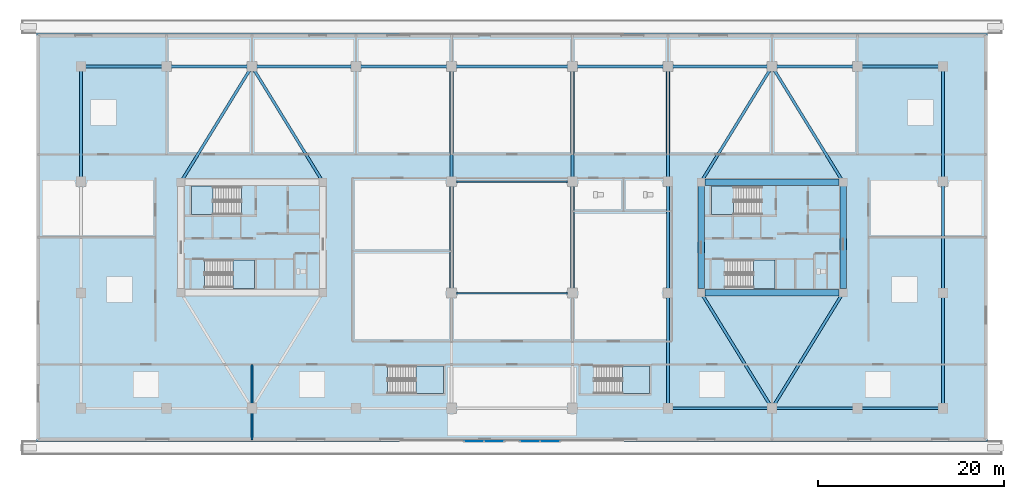
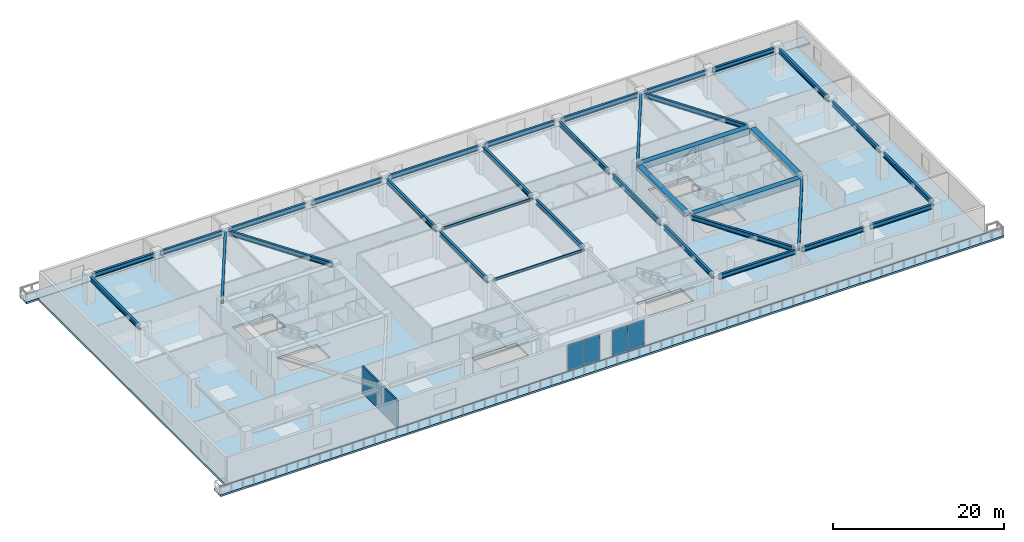
# One storey, part 3 of 23: 35 beams, 9 slabs, 4 plates, 1 wall, 8 elements without a shape of their own.
"""IFC4 building model written with IfcOpenShell, lengths in metres."""

from ifc_helpers import new_model, si_unit, direction, frame, frame_2d, origin, origin_2d, place, context, subcontext, project, spatial, polyline, rectangle, i_section, outline, extrude, source, transform, mapped, material, layer, layer_set, material_profile, profile_set, type_object, type_shapes, element, aggregate, save


model = new_model("IFC4")

# Units and contexts
model_context = context("Model", 3, precision=1e-05, world=origin(), true_north=direction((0.0, 1.0)))
body_context = subcontext(model_context, "Body", "Model", "MODEL_VIEW")
ifc_project = project(units=[si_unit("LENGTHUNIT", "METRE"), si_unit("AREAUNIT", "SQUARE_METRE"), si_unit("VOLUMEUNIT", "CUBIC_METRE"), si_unit("PLANEANGLEUNIT", "RADIAN"), si_unit("MASSUNIT", "GRAM", prefix="KILO")], contexts=[model_context])

# Site, building, storey
site_placement = place(None, origin())
site = spatial("IfcSite", under=ifc_project, at=site_placement, CompositionType="ELEMENT")
building_placement = place(site_placement, origin())
building = spatial("IfcBuilding", under=site, at=building_placement, Name="Norrkilde Senior Care Towers", CompositionType="ELEMENT")
storey_placement = place(building_placement, frame((0.0, 0.0, 8.39990234375)))
storey = spatial("IfcBuildingStorey", under=building, at=storey_placement, Name="L02", CompositionType="ELEMENT", Elevation=8.39990234375)

# Beams
ifc_material_1 = material(Name="Concrete C60/75", Category="concrete")
ifc_material_profile_1 = material_profile(ifc_material_1, rectangle(XDim=0.699951171875, YDim=0.89990234375, at=origin_2d()), Name="RC BM 700x900")
ifc_profile_set_1 = profile_set([ifc_material_profile_1], Name="Concrete C60/75")
beam_type_1 = type_object("IfcBeamType", Name="Core Coupling Girder 700x900", PredefinedType="USERDEFINED", material=ifc_profile_set_1)
shared_shape_1 = source(origin(), body_context, "Body", "SweptSolid", [
    extrude(rectangle(XDim=0.699951171875, YDim=0.89990234375, at=origin_2d()), origin(), (0.0, 0.0, 1.0), 14.43994140625),
])
type_shapes(beam_type_1, [shared_shape_1])
for number, where, z_axis, x_axis, name in (
    (1, (20.780029296875, 5.949951171875, 3.43017578125), (1.0, 0.0, 0.0), (0.0, 1.0, 0.0), "L02 Core E N Coupling Girder"),
    (2, (20.780029296875, -5.949951171875, 3.43017578125), (1.0, 0.0, 0.0), (0.0, 1.0, 0.0), "L02 Core E S Coupling Girder"),
):
    element("IfcBeam", number, at=place(storey_placement, frame(where, z_axis=z_axis, x_axis=x_axis)), inside=storey, type_object=beam_type_1, Name=name, ObjectType="GIRDER", PredefinedType="USERDEFINED", context=body_context, shape_type="MappedRepresentation", body=[
        mapped(shared_shape_1, transform((0.0, 0.0, 0.0), x_axis=(1.0, 0.0, 0.0), y_axis=(0.0, 1.0, 0.0), z_axis=(0.0, 0.0, 1.0), scale=1.0)),
    ])
ifc_material_profile_2 = material_profile(ifc_material_1, rectangle(XDim=0.699951171875, YDim=0.550048828125, at=origin_2d()), Name="RC BM 700x550")
ifc_profile_set_2 = profile_set([ifc_material_profile_2], Name="Concrete C60/75")
beam_type_2 = type_object("IfcBeamType", Name="Core Portal Coupling Beam 700x550", PredefinedType="USERDEFINED", material=ifc_profile_set_2)
shared_shape_2 = source(origin(), body_context, "Body", "SweptSolid", [
    extrude(rectangle(XDim=0.699951171875, YDim=0.550048828125, at=origin_2d()), origin(), (0.0, 0.0, 1.0), 11.0400390625),
])
type_shapes(beam_type_2, [shared_shape_2])
for number, where, z_axis, x_axis, name in (
    (3, (20.35009765625, -5.52001953125, 3.60498046875), (0.0, 1.0, 0.0), (-1.0, 0.0, 0.0), "L02 Core E W Coupling Girder"),
    (4, (35.64990234375, -5.52001953125, 3.60498046875), (0.0, 1.0, 0.0), (-1.0, 0.0, 0.0), "L02 Core E E Coupling Girder"),
):
    element("IfcBeam", number, at=place(storey_placement, frame(where, z_axis=z_axis, x_axis=x_axis)), inside=storey, type_object=beam_type_2, Name=name, ObjectType="GIRDER", PredefinedType="USERDEFINED", context=body_context, shape_type="MappedRepresentation", body=[
        mapped(shared_shape_2, transform((0.0, 0.0, 0.0), x_axis=(1.0, 0.0, 0.0), y_axis=(0.0, 1.0, 0.0), z_axis=(0.0, 0.0, 1.0), scale=1.0)),
    ])
ifc_material_2 = material(Name="Steel S355", Category="steel")
ifc_material_profile_3 = material_profile(ifc_material_2, i_section(OverallWidth=0.159912109375, OverallDepth=0.330078125, WebThickness=0.007568359375, FlangeThickness=0.011474609375, FilletRadius=0.01806640625, at=origin_2d()), Name="IPE 330")
ifc_profile_set_3 = profile_set([ifc_material_profile_3], Name="Steel S355")
beam_type_3 = type_object("IfcBeamType", Name="Podium Deck Joist IPE330", PredefinedType="JOIST", material=ifc_profile_set_3)
shared_shape_3 = source(origin(), body_context, "Body", "SweptSolid", [
    extrude(i_section(OverallWidth=0.159912109375, OverallDepth=0.330078125, WebThickness=0.007568359375, FlangeThickness=0.011474609375, FilletRadius=0.01806640625, at=origin_2d()), origin(), (0.0, 0.0, 1.0), 12.0),
])
type_shapes(beam_type_3, [shared_shape_3])
for number, where, z_axis, x_axis, name in (
    (5, (-6.0, -6.0, 3.715087890625), (1.0, 0.0, 0.0), (0.0, 1.0, 0.0), "L02 Podium Central Span Beam 1"),
    (6, (-6.0, 6.0, 3.715087890625), (1.0, 0.0, 0.0), (0.0, 1.0, 0.0), "L02 Podium Central Span Beam 2"),
):
    element("IfcBeam", number, at=place(storey_placement, frame(where, z_axis=z_axis, x_axis=x_axis)), inside=storey, type_object=beam_type_3, Name=name, PredefinedType="JOIST", context=body_context, shape_type="MappedRepresentation", body=[
        mapped(shared_shape_3, transform((0.0, 0.0, 0.0), x_axis=(1.0, 0.0, 0.0), y_axis=(0.0, 1.0, 0.0), z_axis=(0.0, 0.0, 1.0), scale=1.0)),
    ])
ifc_material_profile_4 = material_profile(ifc_material_2, i_section(OverallWidth=0.300048828125, OverallDepth=0.64990234375, WebThickness=0.01611328125, FlangeThickness=0.031005859375, FilletRadius=0.027099609375, at=origin_2d()), Name="HEB 650")
ifc_profile_set_4 = profile_set([ifc_material_profile_4], Name="Steel S355")
beam_type_4 = type_object("IfcBeamType", Name="Podium Primary Beam HEB650", PredefinedType="BEAM", material=ifc_profile_set_4)
shared_shape_4 = source(origin(), body_context, "Body", "SweptSolid", [
    extrude(i_section(OverallWidth=0.300048828125, OverallDepth=0.64990234375, WebThickness=0.01611328125, FlangeThickness=0.031005859375, FilletRadius=0.027099609375, at=origin_2d()), origin(), (0.0, 0.0, 1.0), 8.300048828125),
])
for number, where, z_axis, x_axis, name in (
    (7, (28.449951171875, -18.39990234375, 3.55517578125), (1.0, 0.0, 0.0), (0.0, 1.0, 0.0), "L02 Podium E-W Frame Beam 1.8"),
    (8, (37.64990234375, -18.39990234375, 3.55517578125), (1.0, 0.0, 0.0), (0.0, 1.0, 0.0), "L02 Podium E-W Frame Beam 1.9"),
    (9, (-45.949951171875, 18.39990234375, 3.55517578125), (1.0, 0.0, 0.0), (0.0, 1.0, 0.0), "L02 Podium E-W Frame Beam 2.1"),
    (10, (-36.75, 18.39990234375, 3.55517578125), (1.0, 0.0, 0.0), (0.0, 1.0, 0.0), "L02 Podium E-W Frame Beam 2.2"),
    (11, (28.449951171875, 18.39990234375, 3.55517578125), (1.0, 0.0, 0.0), (0.0, 1.0, 0.0), "L02 Podium E-W Frame Beam 2.8"),
    (12, (37.64990234375, 18.39990234375, 3.55517578125), (1.0, 0.0, 0.0), (0.0, 1.0, 0.0), "L02 Podium E-W Frame Beam 2.9"),
):
    element("IfcBeam", number, at=place(storey_placement, frame(where, z_axis=z_axis, x_axis=x_axis)), inside=storey, type_object=beam_type_4, Name=name, PredefinedType="BEAM", context=body_context, shape_type="MappedRepresentation", body=[
        mapped(shared_shape_4, transform((0.0, 0.0, 0.0), x_axis=(1.0, 0.0, 0.0), y_axis=(0.0, 1.0, 0.0), z_axis=(0.0, 0.0, 1.0), scale=1.0)),
    ])
shared_shape_5 = source(origin(), body_context, "Body", "SweptSolid", [
    extrude(i_section(OverallWidth=0.300048828125, OverallDepth=0.64990234375, WebThickness=0.01611328125, FlangeThickness=0.031005859375, FilletRadius=0.027099609375, at=origin_2d()), origin(), (0.0, 0.0, 1.0), 10.300048828125),
])
for number, where, z_axis, x_axis, name in (
    (13, (17.25, -18.39990234375, 3.55517578125), (1.0, 0.0, 0.0), (0.0, 1.0, 0.0), "L02 Podium E-W Frame Beam 1.7"),
    (14, (-27.550048828125, 18.39990234375, 3.55517578125), (1.0, 0.0, 0.0), (0.0, 1.0, 0.0), "L02 Podium E-W Frame Beam 2.3"),
    (15, (17.25, 18.39990234375, 3.55517578125), (1.0, 0.0, 0.0), (0.0, 1.0, 0.0), "L02 Podium E-W Frame Beam 2.7"),
):
    element("IfcBeam", number, at=place(storey_placement, frame(where, z_axis=z_axis, x_axis=x_axis)), inside=storey, type_object=beam_type_4, Name=name, PredefinedType="BEAM", context=body_context, shape_type="MappedRepresentation", body=[
        mapped(shared_shape_5, transform((0.0, 0.0, 0.0), x_axis=(1.0, 0.0, 0.0), y_axis=(0.0, 1.0, 0.0), z_axis=(0.0, 0.0, 1.0), scale=1.0)),
    ])
shared_shape_6 = source(origin(), body_context, "Body", "SweptSolid", [
    extrude(i_section(OverallWidth=0.300048828125, OverallDepth=0.64990234375, WebThickness=0.01611328125, FlangeThickness=0.031005859375, FilletRadius=0.027099609375, at=origin_2d()), origin(), (0.0, 0.0, 1.0), 9.400146484375),
])
for number, where, z_axis, x_axis, name in (
    (16, (-16.35009765625, 18.39990234375, 3.55517578125), (1.0, 0.0, 0.0), (0.0, 1.0, 0.0), "L02 Podium E-W Frame Beam 2.4"),
    (17, (6.949951171875, 18.39990234375, 3.55517578125), (1.0, 0.0, 0.0), (0.0, 1.0, 0.0), "L02 Podium E-W Frame Beam 2.6"),
):
    element("IfcBeam", number, at=place(storey_placement, frame(where, z_axis=z_axis, x_axis=x_axis)), inside=storey, type_object=beam_type_4, Name=name, PredefinedType="BEAM", context=body_context, shape_type="MappedRepresentation", body=[
        mapped(shared_shape_6, transform((0.0, 0.0, 0.0), x_axis=(1.0, 0.0, 0.0), y_axis=(0.0, 1.0, 0.0), z_axis=(0.0, 0.0, 1.0), scale=1.0)),
    ])
shared_shape_7 = source(origin(), body_context, "Body", "SweptSolid", [
    extrude(i_section(OverallWidth=0.300048828125, OverallDepth=0.64990234375, WebThickness=0.01611328125, FlangeThickness=0.031005859375, FilletRadius=0.027099609375, at=origin_2d()), origin(), (0.0, 0.0, 1.0), 12.10009765625),
])
beam_placement = place(storey_placement, frame((-6.050048828125, 18.39990234375, 3.55517578125), z_axis=(1.0, 0.0, 0.0), x_axis=(0.0, 1.0, 0.0)))
element("IfcBeam", 18, at=beam_placement, inside=storey, type_object=beam_type_4, Name="L02 Podium E-W Frame Beam 2.5", PredefinedType="BEAM", context=body_context, shape_type="MappedRepresentation", body=[
    mapped(shared_shape_7, transform((0.0, 0.0, 0.0), x_axis=(1.0, 0.0, 0.0), y_axis=(0.0, 1.0, 0.0), z_axis=(0.0, 0.0, 1.0), scale=1.0)),
])
shared_shape_8 = source(origin(), body_context, "Body", "SweptSolid", [
    extrude(i_section(OverallWidth=0.300048828125, OverallDepth=0.64990234375, WebThickness=0.01611328125, FlangeThickness=0.031005859375, FilletRadius=0.027099609375, at=origin_2d()), origin(), (0.0, 0.0, 1.0), 11.5),
])
for number, where, z_axis, x_axis, name in (
    (19, (-46.39990234375, 6.449951171875, 3.55517578125), (0.0, 1.0, 0.0), (-1.0, 0.0, 0.0), "L02 Podium N-S Frame Beam 1.3"),
    (20, (-6.5, 6.449951171875, 3.55517578125), (0.0, 1.0, 0.0), (-1.0, 0.0, 0.0), "L02 Podium N-S Frame Beam 2.3"),
    (21, (6.5, 6.449951171875, 3.55517578125), (0.0, 1.0, 0.0), (-1.0, 0.0, 0.0), "L02 Podium N-S Frame Beam 3.3"),
    (22, (16.800048828125, -17.949951171875, 3.55517578125), (0.0, 1.0, 0.0), (-1.0, 0.0, 0.0), "L02 Podium N-S Frame Beam 4.1"),
    (23, (16.800048828125, 6.449951171875, 3.55517578125), (0.0, 1.0, 0.0), (-1.0, 0.0, 0.0), "L02 Podium N-S Frame Beam 4.3"),
    (24, (46.39990234375, -17.949951171875, 3.55517578125), (0.0, 1.0, 0.0), (-1.0, 0.0, 0.0), "L02 Podium N-S Frame Beam 5.1"),
    (25, (46.39990234375, 6.449951171875, 3.55517578125), (0.0, 1.0, 0.0), (-1.0, 0.0, 0.0), "L02 Podium N-S Frame Beam 5.3"),
):
    element("IfcBeam", number, at=place(storey_placement, frame(where, z_axis=z_axis, x_axis=x_axis)), inside=storey, type_object=beam_type_4, Name=name, PredefinedType="BEAM", context=body_context, shape_type="MappedRepresentation", body=[
        mapped(shared_shape_8, transform((0.0, 0.0, 0.0), x_axis=(1.0, 0.0, 0.0), y_axis=(0.0, 1.0, 0.0), z_axis=(0.0, 0.0, 1.0), scale=1.0)),
    ])
shared_shape_9 = source(origin(), body_context, "Body", "SweptSolid", [
    extrude(i_section(OverallWidth=0.300048828125, OverallDepth=0.64990234375, WebThickness=0.01611328125, FlangeThickness=0.031005859375, FilletRadius=0.027099609375, at=origin_2d()), origin(), (0.0, 0.0, 1.0), 11.10009765625),
])
for number, where, z_axis, x_axis, name in (
    (26, (-6.5, -5.550048828125, 3.55517578125), (0.0, 1.0, 0.0), (-1.0, 0.0, 0.0), "L02 Podium N-S Frame Beam 2.2"),
    (27, (6.5, -5.550048828125, 3.55517578125), (0.0, 1.0, 0.0), (-1.0, 0.0, 0.0), "L02 Podium N-S Frame Beam 3.2"),
    (28, (16.800048828125, -5.550048828125, 3.55517578125), (0.0, 1.0, 0.0), (-1.0, 0.0, 0.0), "L02 Podium N-S Frame Beam 4.2"),
    (29, (46.39990234375, -5.550048828125, 3.55517578125), (0.0, 1.0, 0.0), (-1.0, 0.0, 0.0), "L02 Podium N-S Frame Beam 5.2"),
):
    element("IfcBeam", number, at=place(storey_placement, frame(where, z_axis=z_axis, x_axis=x_axis)), inside=storey, type_object=beam_type_4, Name=name, PredefinedType="BEAM", context=body_context, shape_type="MappedRepresentation", body=[
        mapped(shared_shape_9, transform((0.0, 0.0, 0.0), x_axis=(1.0, 0.0, 0.0), y_axis=(0.0, 1.0, 0.0), z_axis=(0.0, 0.0, 1.0), scale=1.0)),
    ])
shared_shape_10 = source(origin(), body_context, "Body", "SweptSolid", [
    extrude(i_section(OverallWidth=0.300048828125, OverallDepth=0.64990234375, WebThickness=0.01611328125, FlangeThickness=0.031005859375, FilletRadius=0.027099609375, at=origin_2d()), origin(), (0.0, 0.0, 1.0), 13.742431640625),
])
type_shapes(beam_type_4, [shared_shape_4, shared_shape_5, shared_shape_6, shared_shape_7, shared_shape_8, shared_shape_9, shared_shape_10])
for number, where, z_axis, x_axis, name in (
    (30, (-28.235595703125, 18.0166015625, 3.55517578125), (-0.523527368138, -0.852008858411, 0.0), (0.852008858411, -0.523527368138, 0.0), "L02 Core W Tie Beam 3"),
    (31, (-27.764404296875, 18.0166015625, 3.55517578125), (0.523527368138, -0.852008858411, 0.0), (0.852008858411, 0.523527368138, 0.0), "L02 Core W Tie Beam 4"),
    (32, (27.764404296875, -18.0166015625, 3.55517578125), (-0.523527368138, 0.852008858411, 0.0), (-0.852008858411, -0.523527368138, 0.0), "L02 Core E Tie Beam 1"),
    (33, (28.235595703125, -18.0166015625, 3.55517578125), (0.523527368138, 0.852008858411, 0.0), (-0.852008858411, 0.523527368138, 0.0), "L02 Core E Tie Beam 2"),
    (34, (27.764404296875, 18.0166015625, 3.55517578125), (-0.523527368138, -0.852008858411, 0.0), (0.852008858411, -0.523527368138, 0.0), "L02 Core E Tie Beam 3"),
    (35, (28.235595703125, 18.0166015625, 3.55517578125), (0.523527368138, -0.852008858411, 0.0), (0.852008858411, 0.523527368138, 0.0), "L02 Core E Tie Beam 4"),
):
    element("IfcBeam", number, at=place(storey_placement, frame(where, z_axis=z_axis, x_axis=x_axis)), inside=storey, type_object=beam_type_4, Name=name, PredefinedType="BEAM", context=body_context, shape_type="MappedRepresentation", body=[
        mapped(shared_shape_10, transform((0.0, 0.0, 0.0), x_axis=(1.0, 0.0, 0.0), y_axis=(0.0, 1.0, 0.0), z_axis=(0.0, 0.0, 1.0), scale=1.0)),
    ])

# Slabs
ifc_material_3 = material(Name="Concrete C45/55", Category="concrete")
ifc_layer_1 = layer(ifc_material_3, 0.22998046875)
ifc_layer_set_1 = layer_set([ifc_layer_1], Name="Concrete C45/55")
slab_type_1 = type_object("IfcSlabType", Name="Cascading Garden Terrace Slab 230", PredefinedType="FLOOR", material=ifc_layer_set_1)
slab_1_placement = place(storey_placement, frame((0.0, 0.0, -0.22998046875)))
element("IfcSlab", 36, at=slab_1_placement, inside=storey, type_object=slab_type_1, Name="L02 S Cascading Rehabilitation Garden Terrace", PredefinedType="FLOOR", context=body_context, shape_type="SweptSolid", body=[
    extrude(outline(polyline([(-52.800048828125, -23.39990234375), (52.800048828125, -23.39990234375), (52.800048828125, -21.905029296875), (-52.800048828125, -21.905029296875), (-52.800048828125, -23.39990234375)])), origin(), (0.0, 0.0, 1.0), 0.22998046875),
])
slab_2_placement = place(storey_placement, frame((0.0, 0.0, -0.22998046875)))
element("IfcSlab", 37, at=slab_2_placement, inside=storey, type_object=slab_type_1, Name="L02 N Cascading Rehabilitation Garden Terrace", PredefinedType="FLOOR", context=body_context, shape_type="SweptSolid", body=[
    extrude(outline(polyline([(-52.800048828125, 21.905029296875), (52.800048828125, 21.905029296875), (52.800048828125, 23.39990234375), (-52.800048828125, 23.39990234375), (-52.800048828125, 21.905029296875)])), origin(), (0.0, 0.0, 1.0), 0.22998046875),
])
ifc_material_4 = material(Name="Concrete C50/60", Category="concrete")
ifc_layer_2 = layer(ifc_material_4, 0.320068359375)
ifc_layer_set_2 = layer_set([ifc_layer_2], Name="Concrete C50/60")
slab_type_2 = type_object("IfcSlabType", Name="Podium Clinic Floor Slab 320", PredefinedType="FLOOR", material=ifc_layer_set_2)
slab_3_placement = place(storey_placement, frame((0.0, 0.0, -0.31982421875)))
element("IfcSlab", 38, at=slab_3_placement, inside=storey, type_object=slab_type_2, Name="L02 Structural Podium Slab", PredefinedType="FLOOR", context=body_context, shape_type="SweptSolid", body=[
    extrude(outline(polyline([(-51.199951171875, 21.89990234375), (51.199951171875, 21.89990234375), (51.199951171875, -21.89990234375), (-51.199951171875, -21.89990234375), (-51.199951171875, 21.89990234375)]), holes=[polyline([(-34.48193359375, 2.468017578125), (-29.117919921875, 2.468017578125), (-29.117919921875, 5.52490234375), (-34.48193359375, 5.52490234375), (-34.48193359375, 2.468017578125)]), polyline([(-27.718017578125, -5.52490234375), (-27.718017578125, -2.468017578125), (-33.08203125, -2.468017578125), (-33.08203125, -5.52490234375), (-27.718017578125, -5.52490234375)]), polyline([(26.882080078125, 5.52490234375), (21.51806640625, 5.52490234375), (21.51806640625, 2.468017578125), (26.882080078125, 2.468017578125), (26.882080078125, 5.52490234375)]), polyline([(22.91796875, -2.468017578125), (22.91796875, -5.52490234375), (28.281982421875, -5.52490234375), (28.281982421875, -2.468017578125), (22.91796875, -2.468017578125)]), polyline([(-7.41796875, -13.867919921875), (-13.382080078125, -13.867919921875), (-13.382080078125, -16.781982421875), (-7.41796875, -16.781982421875), (-7.41796875, -13.867919921875)]), polyline([(14.781982421875, -16.781982421875), (14.781982421875, -13.867919921875), (8.818115234375, -13.867919921875), (8.818115234375, -16.781982421875), (14.781982421875, -16.781982421875)])]), origin(), (0.0, 0.0, 1.0), 0.31982421875),
])

# Stair, slab
stair_type = type_object("IfcStairType", Name="Core Protected Dogleg Stair Podium 4200", PredefinedType="HALF_TURN_STAIR", material=ifc_material_3)
stair_1_placement = place(storey_placement, origin())
stair_1 = element("IfcStair", 39, at=stair_1_placement, inside=storey, type_object=stair_type, Name="L02 Protected Core Stair W1", PredefinedType="HALF_TURN_STAIR")
ifc_layer_3 = layer(ifc_material_3, 0.199951171875)
ifc_layer_set_3 = layer_set([ifc_layer_3], Name="Concrete C45/55")
slab_type_3 = type_object("IfcSlabType", Name="Stair Landing Slab 200", PredefinedType="LANDING", material=ifc_layer_set_3)
slab_4_placement = place(storey_placement, frame((0.0, 0.0, 1.900146484375)))
slab_4 = element("IfcSlab", 40, at=slab_4_placement, type_object=slab_type_3, Name="ST-W1 landing 1", PredefinedType="LANDING", context=body_context, shape_type="SweptSolid", body=[
    extrude(outline(polyline([(-32.179931640625, 5.52490234375), (-34.5, 5.52490234375), (-34.5, 2.449951171875), (-32.179931640625, 2.449951171875), (-32.179931640625, 5.52490234375)])), origin(), (0.0, 0.0, 1.0), 0.199951171875),
])
aggregate(stair_1, [slab_4])

stair_2_placement = place(storey_placement, origin())
stair_2 = element("IfcStair", 41, at=stair_2_placement, inside=storey, type_object=stair_type, Name="L02 Protected Core Stair W2", PredefinedType="HALF_TURN_STAIR")
slab_5_placement = place(storey_placement, frame((0.0, 0.0, 1.900146484375)))
slab_5 = element("IfcSlab", 42, at=slab_5_placement, type_object=slab_type_3, Name="ST-W2 landing 1", PredefinedType="LANDING", context=body_context, shape_type="SweptSolid", body=[
    extrude(outline(polyline([(-30.02001953125, -5.52490234375), (-27.699951171875, -5.52490234375), (-27.699951171875, -2.449951171875), (-30.02001953125, -2.449951171875), (-30.02001953125, -5.52490234375)])), origin(), (0.0, 0.0, 1.0), 0.199951171875),
])
aggregate(stair_2, [slab_5])

stair_3_placement = place(storey_placement, origin())
stair_3 = element("IfcStair", 43, at=stair_3_placement, inside=storey, type_object=stair_type, Name="L02 Protected Core Stair E1", PredefinedType="HALF_TURN_STAIR")
slab_6_placement = place(storey_placement, frame((0.0, 0.0, 1.900146484375)))
slab_6 = element("IfcSlab", 44, at=slab_6_placement, type_object=slab_type_3, Name="ST-E1 landing 1", PredefinedType="LANDING", context=body_context, shape_type="SweptSolid", body=[
    extrude(outline(polyline([(23.820068359375, 5.52490234375), (21.5, 5.52490234375), (21.5, 2.449951171875), (23.820068359375, 2.449951171875), (23.820068359375, 5.52490234375)])), origin(), (0.0, 0.0, 1.0), 0.199951171875),
])
aggregate(stair_3, [slab_6])

stair_4_placement = place(storey_placement, origin())
stair_4 = element("IfcStair", 45, at=stair_4_placement, inside=storey, type_object=stair_type, Name="L02 Protected Core Stair E2", PredefinedType="HALF_TURN_STAIR")
slab_7_placement = place(storey_placement, frame((0.0, 0.0, 1.900146484375)))
slab_7 = element("IfcSlab", 46, at=slab_7_placement, type_object=slab_type_3, Name="ST-E2 landing 1", PredefinedType="LANDING", context=body_context, shape_type="SweptSolid", body=[
    extrude(outline(polyline([(25.97998046875, -5.52490234375), (28.300048828125, -5.52490234375), (28.300048828125, -2.449951171875), (25.97998046875, -2.449951171875), (25.97998046875, -5.52490234375)])), origin(), (0.0, 0.0, 1.0), 0.199951171875),
])
aggregate(stair_4, [slab_7])

stair_5_placement = place(storey_placement, origin())
stair_5 = element("IfcStair", 47, at=stair_5_placement, inside=storey, type_object=stair_type, Name="L02 Podium Clinic Exit Stair P1", PredefinedType="HALF_TURN_STAIR")
slab_8_placement = place(storey_placement, frame((0.0, 0.0, 1.900146484375)))
slab_8 = element("IfcSlab", 48, at=slab_8_placement, type_object=slab_type_3, Name="ST-P1 landing 1", PredefinedType="LANDING", context=body_context, shape_type="SweptSolid", body=[
    extrude(outline(polyline([(-10.320068359375, -16.800048828125), (-7.39990234375, -16.800048828125), (-7.39990234375, -13.85009765625), (-10.320068359375, -13.85009765625), (-10.320068359375, -16.800048828125)])), origin(), (0.0, 0.0, 1.0), 0.199951171875),
])
aggregate(stair_5, [slab_8])

stair_6_placement = place(storey_placement, origin())
stair_6 = element("IfcStair", 49, at=stair_6_placement, inside=storey, type_object=stair_type, Name="L02 Podium Clinic Exit Stair P2", PredefinedType="HALF_TURN_STAIR")
slab_9_placement = place(storey_placement, frame((0.0, 0.0, 1.900146484375)))
slab_9 = element("IfcSlab", 50, at=slab_9_placement, type_object=slab_type_3, Name="ST-P2 landing 1", PredefinedType="LANDING", context=body_context, shape_type="SweptSolid", body=[
    extrude(outline(polyline([(11.8798828125, -16.800048828125), (14.800048828125, -16.800048828125), (14.800048828125, -13.85009765625), (11.8798828125, -13.85009765625), (11.8798828125, -16.800048828125)])), origin(), (0.0, 0.0, 1.0), 0.199951171875),
])
aggregate(stair_6, [slab_9])

# Curtain wall, plates
ifc_material_5 = material(Name="Triple Low-E Insulated Glazing", Category="glass")
ifc_layer_4 = layer(ifc_material_5, 0.219970703125)
ifc_layer_set_4 = layer_set([ifc_layer_4], Name="Triple Low-E Insulated Glazing")
curtain_wall_type = type_object("IfcCurtainWallType", Name="CW1 Podium Clinic Terracotta Curtain Wall", PredefinedType="NOTDEFINED", material=ifc_layer_set_4)
curtain_wall_1_placement = place(storey_placement, origin())
curtain_wall_1 = element("IfcCurtainWall", 51, at=curtain_wall_1_placement, inside=storey, type_object=curtain_wall_type, Name="L02 Podium Portal Feature Curtain Wall 1", PredefinedType="NOTDEFINED")
ifc_layer_5 = layer(ifc_material_5, 0.035888671875)
ifc_layer_set_5 = layer_set([ifc_layer_5], Name="Triple Low-E Insulated Glazing")
plate_type = type_object("IfcPlateType", Name="Triple Low-E Vision Curtain Panel 36", PredefinedType="CURTAIN_PANEL", material=ifc_layer_set_5)
shared_shape_11 = source(origin(), body_context, "Body", "SweptSolid", [
    extrude(rectangle(XDim=2.094970703125, YDim=0.035888671875, at=origin_2d()), origin(), (0.0, 0.0, 1.0), 3.75),
])
type_shapes(plate_type, [shared_shape_11])
plate_1_placement = place(storey_placement, frame((-1.91748046875, -21.9599609375, 0.065185546875), z_axis=(0.0, 0.0, 1.0), x_axis=(-1.0, 0.0, 0.0)))
plate_1 = element("IfcPlate", 52, at=plate_1_placement, type_object=plate_type, Name="CW-1 panel 1.1", PredefinedType="CURTAIN_PANEL", context=body_context, shape_type="MappedRepresentation", body=[
    mapped(shared_shape_11, transform((0.0, 0.0, 0.0), x_axis=(1.0, 0.0, 0.0), y_axis=(0.0, 1.0, 0.0), z_axis=(0.0, 0.0, 1.0), scale=1.0)),
])
plate_2_placement = place(storey_placement, frame((-4.08251953125, -21.9599609375, 0.065185546875), z_axis=(0.0, 0.0, 1.0), x_axis=(-1.0, 0.0, 0.0)))
plate_2 = element("IfcPlate", 53, at=plate_2_placement, type_object=plate_type, Name="CW-1 panel 2.1", PredefinedType="CURTAIN_PANEL", context=body_context, shape_type="MappedRepresentation", body=[
    mapped(shared_shape_11, transform((0.0, 0.0, 0.0), x_axis=(1.0, 0.0, 0.0), y_axis=(0.0, 1.0, 0.0), z_axis=(0.0, 0.0, 1.0), scale=1.0)),
])
aggregate(curtain_wall_1, [plate_1, plate_2])

curtain_wall_2_placement = place(storey_placement, origin())
curtain_wall_2 = element("IfcCurtainWall", 54, at=curtain_wall_2_placement, inside=storey, type_object=curtain_wall_type, Name="L02 Podium Portal Feature Curtain Wall 2", PredefinedType="NOTDEFINED")
plate_3_placement = place(storey_placement, frame((4.08251953125, -21.9599609375, 0.065185546875), z_axis=(0.0, 0.0, 1.0), x_axis=(-1.0, 0.0, 0.0)))
plate_3 = element("IfcPlate", 55, at=plate_3_placement, type_object=plate_type, Name="CW-1 panel 1.1", PredefinedType="CURTAIN_PANEL", context=body_context, shape_type="MappedRepresentation", body=[
    mapped(shared_shape_11, transform((0.0, 0.0, 0.0), x_axis=(1.0, 0.0, 0.0), y_axis=(0.0, 1.0, 0.0), z_axis=(0.0, 0.0, 1.0), scale=1.0)),
])
plate_4_placement = place(storey_placement, frame((1.91748046875, -21.9599609375, 0.065185546875), z_axis=(0.0, 0.0, 1.0), x_axis=(-1.0, 0.0, 0.0)))
plate_4 = element("IfcPlate", 56, at=plate_4_placement, type_object=plate_type, Name="CW-1 panel 2.1", PredefinedType="CURTAIN_PANEL", context=body_context, shape_type="MappedRepresentation", body=[
    mapped(shared_shape_11, transform((0.0, 0.0, 0.0), x_axis=(1.0, 0.0, 0.0), y_axis=(0.0, 1.0, 0.0), z_axis=(0.0, 0.0, 1.0), scale=1.0)),
])
aggregate(curtain_wall_2, [plate_3, plate_4])

# Wall
ifc_material_6 = material(Name="Gypsum Acoustic Board")
ifc_layer_6 = layer(ifc_material_6, 0.18994140625)
ifc_layer_set_6 = layer_set([ifc_layer_6], Name="Gypsum Acoustic Board")
wall_type = type_object("IfcWallType", Name="Unit Demising Acoustic Wall 190", PredefinedType="PARTITIONING", material=ifc_layer_set_6)
shared_shape_12 = source(origin(), body_context, "Body", "SweptSolid", [
    extrude(rectangle(XDim=8.10009765625, YDim=0.18994140625, at=frame_2d((4.050048828125, 0.0))), origin(), (0.0, 0.0, 1.0), 3.864990234375),
])
type_shapes(wall_type, [shared_shape_12])
wall_placement = place(storey_placement, frame((-28.0, -21.800048828125, 0.0), z_axis=(0.0, 0.0, 1.0), x_axis=(0.0, 1.0, 0.0)))
element("IfcWall", 57, at=wall_placement, inside=storey, type_object=wall_type, Name="WL-INT-L02-POD-SWD", PredefinedType="PARTITIONING", context=body_context, shape_type="MappedRepresentation", body=[
    mapped(shared_shape_12, transform((0.0, 0.0, 0.0), x_axis=(1.0, 0.0, 0.0), y_axis=(0.0, 1.0, 0.0), z_axis=(0.0, 0.0, 1.0), scale=1.0)),
])

save(model, "model.ifc")
